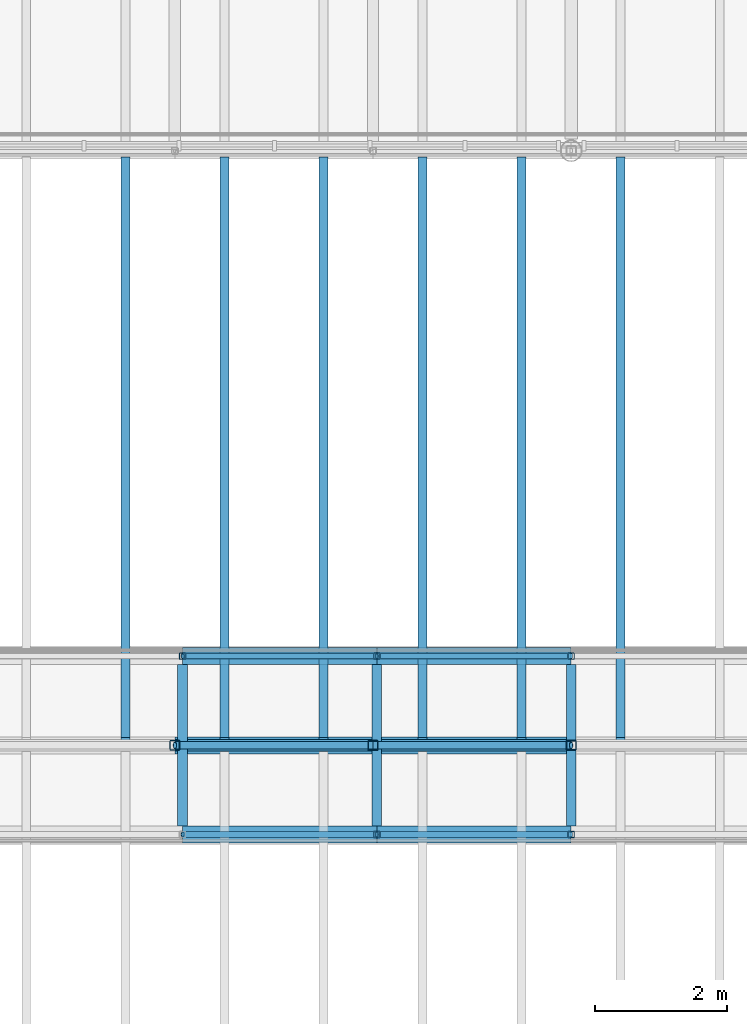
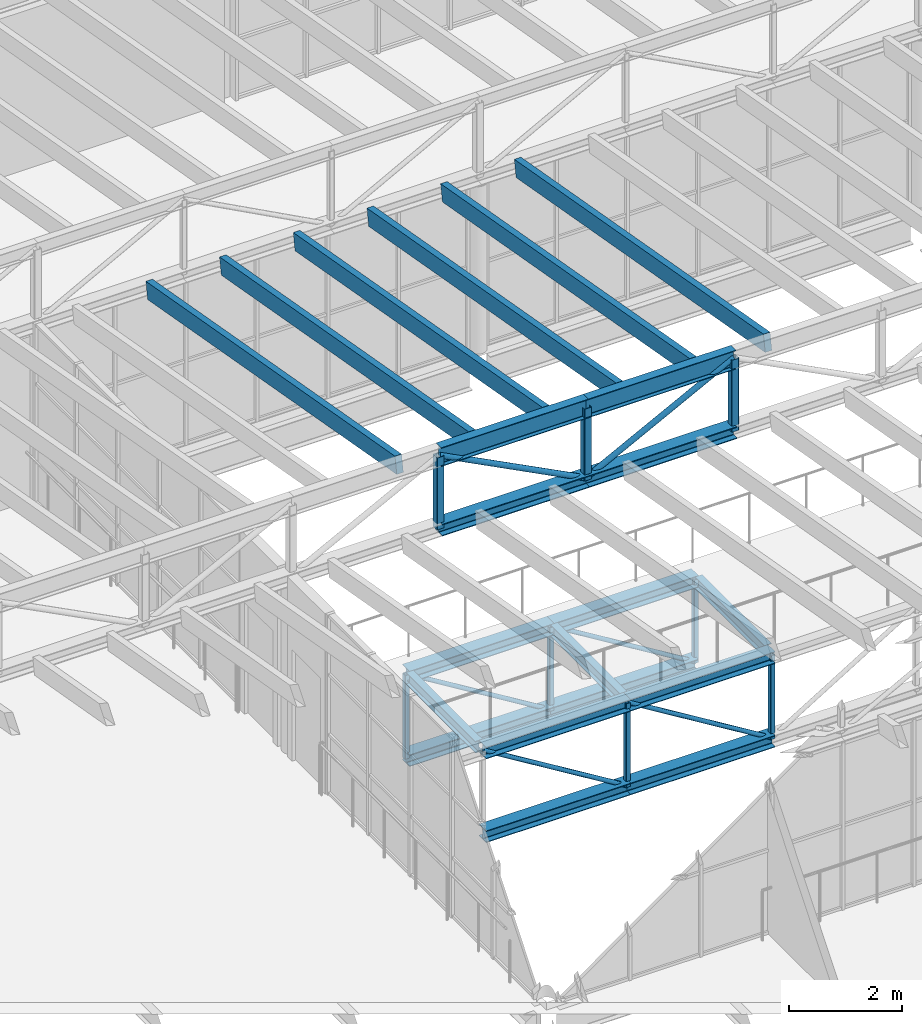
# One storey, part 13 of 44: 32 members, 3 beams.
"""IFC4 building model written with IfcOpenShell, lengths in metres."""

from ifc_helpers import new_model, si_unit, direction, frame, origin, origin_2d, place, context, subcontext, project, spatial, rectangle, hollow_rectangle, hollow_circle, i_section, extrude, material, material_profile, profile_set, type_object, element, save


model = new_model("IFC4")

# Units and contexts
model_context = context("Model", 3, precision=1e-05, world=origin(), true_north=direction((0.0, 1.0)))
body_context = subcontext(model_context, "Body", "Model", "MODEL_VIEW")
ifc_project = project(units=[si_unit("LENGTHUNIT", "METRE"), si_unit("AREAUNIT", "SQUARE_METRE"), si_unit("VOLUMEUNIT", "CUBIC_METRE"), si_unit("PLANEANGLEUNIT", "RADIAN"), si_unit("MASSUNIT", "GRAM", prefix="KILO")], contexts=[model_context])

# Site, building, storey
site_placement = place(None, origin())
site = spatial("IfcSite", under=ifc_project, at=site_placement, CompositionType="ELEMENT")
building_placement = place(site_placement, origin())
building = spatial("IfcBuilding", under=site, at=building_placement, Name="Halyard Row Museum", CompositionType="ELEMENT")
storey_placement = place(building_placement, frame((0.0, 0.0, 21.199951171875)))
storey = spatial("IfcBuildingStorey", under=building, at=storey_placement, Name="L04", CompositionType="ELEMENT", Elevation=21.199951171875)

# Beams
ifc_material_1 = material(Name="Steel Grade 300", Category="steel")
ifc_material_profile_1 = material_profile(ifc_material_1, i_section(OverallWidth=0.14599609375, OverallDepth=0.256103515625, WebThickness=0.00634765625, FlangeThickness=0.010986328125, FilletRadius=0.0087890625, at=origin_2d()), Name="250UB37.3")
ifc_profile_set_1 = profile_set([ifc_material_profile_1], Name="Steel Grade 300")
beam_type = type_object("IfcBeamType", Name="Frame beam 250UB37.3", PredefinedType="BEAM", material=ifc_profile_set_1)
for number, where, z_axis, x_axis, name in (
    (1, (84.11669921875, 16.777099609375, -0.29296875), (0.0, 1.0, 0.0), (-1.0, 0.0, 0.0), "BT2 cross beam 2"),
    (2, (87.058349609375, 16.777099609375, -0.29296875), (0.0, 1.0, 0.0), (-1.0, 0.0, 0.0), "BT2 cross beam 3"),
    (3, (90.0, 16.777099609375, -0.29296875), (0.0, 1.0, 0.0), (-1.0, 0.0, 0.0), "BT2 cross beam 4"),
):
    element("IfcBeam", number, at=place(storey_placement, frame(where, z_axis=z_axis, x_axis=x_axis)), inside=storey, type_object=beam_type, Name=name, PredefinedType="BEAM", context=body_context, shape_type="SweptSolid", body=[
        extrude(i_section(OverallWidth=0.14599609375, OverallDepth=0.256103515625, WebThickness=0.00634765625, FlangeThickness=0.010986328125, FilletRadius=0.0087890625, at=origin_2d()), origin(), (0.0, 0.0, 1.0), 2.44580078125),
    ])

# Members
ifc_material_2 = material(Name="Glulam GL12 radiata pine", Category="wood")
ifc_material_profile_2 = material_profile(ifc_material_2, rectangle(XDim=0.135009765625, YDim=0.360107421875, at=origin_2d()), Name="GL12 135x360")
ifc_profile_set_2 = profile_set([ifc_material_profile_2], Name="Glulam GL12 radiata pine")
member_type_1 = type_object("IfcMemberType", Name="Rafter GL12 135x360", PredefinedType="RAFTER", material=ifc_profile_set_2)
for number, where, z_axis, x_axis, name in (
    (4, (83.25, 18.089111328125, 5.281494140625), (0.0, 0.98455904933, -0.175052787419), (-1.0, 0.0, 0.0), "Rafter V2-T3b.2"),
    (5, (84.75, 18.089111328125, 5.281494140625), (0.0, 0.98455904933, -0.175052787419), (-1.0, 0.0, 0.0), "Rafter V2-T3b.3"),
    (6, (86.25, 18.089111328125, 5.281494140625), (0.0, 0.98455904933, -0.175052787419), (-1.0, 0.0, 0.0), "Rafter V2-T3b.4"),
    (7, (87.75, 18.089111328125, 5.281494140625), (0.0, 0.98455904933, -0.175052787419), (-1.0, 0.0, 0.0), "Rafter V2-T3b.5"),
    (8, (89.25, 18.089111328125, 5.281494140625), (0.0, 0.98455904933, -0.175052787419), (-1.0, 0.0, 0.0), "Rafter V2-T3b.6"),
    (9, (90.75, 18.089111328125, 5.281494140625), (0.0, 0.98455904933, -0.175052787419), (-1.0, 0.0, 0.0), "Rafter V2-T3b.7"),
):
    element("IfcMember", number, at=place(storey_placement, frame(where, z_axis=z_axis, x_axis=x_axis)), inside=storey, type_object=member_type_1, Name=name, PredefinedType="RAFTER", context=body_context, shape_type="SweptSolid", body=[
        extrude(rectangle(XDim=0.135009765625, YDim=0.360107421875, at=origin_2d()), origin(), (0.0, 0.0, 1.0), 8.921630859375),
    ])
ifc_material_3 = material(Name="Steel Grade 300", Category="steel")
ifc_material_profile_3 = material_profile(ifc_material_3, i_section(OverallWidth=0.25390625, OverallDepth=0.25390625, WebThickness=0.008544921875, FlangeThickness=0.01416015625, FilletRadius=0.013916015625, at=origin_2d()), Name="250UC72.9")
ifc_profile_set_3 = profile_set([ifc_material_profile_3], Name="Steel Grade 300")
member_type_2 = type_object("IfcMemberType", Name="Truss chord 250UC72.9 bottom", PredefinedType="CHORD", material=ifc_profile_set_3)
for number, where, z_axis, x_axis, name in (
    (10, (84.11669921875, 16.64990234375, -2.091796875), (1.0, 0.0, 0.0), (0.0, 1.0, 0.0), "BT2S bottom chord 2"),
    (11, (87.058349609375, 16.64990234375, -2.091796875), (1.0, 0.0, 0.0), (0.0, 1.0, 0.0), "BT2S bottom chord 3"),
    (12, (84.11669921875, 19.35009765625, -2.091796875), (1.0, 0.0, 0.0), (0.0, 1.0, 0.0), "BT2N bottom chord 2"),
    (13, (87.058349609375, 19.35009765625, -2.091796875), (1.0, 0.0, 0.0), (0.0, 1.0, 0.0), "BT2N bottom chord 3"),
):
    element("IfcMember", number, at=place(storey_placement, frame(where, z_axis=z_axis, x_axis=x_axis)), inside=storey, type_object=member_type_2, Name=name, PredefinedType="CHORD", context=body_context, shape_type="SweptSolid", body=[
        extrude(i_section(OverallWidth=0.25390625, OverallDepth=0.25390625, WebThickness=0.008544921875, FlangeThickness=0.01416015625, FilletRadius=0.013916015625, at=origin_2d()), origin(), (0.0, 0.0, 1.0), 2.941650390625),
    ])
ifc_material_4 = material(Name="Steel Grade 300", Category="steel")
ifc_material_profile_4 = material_profile(ifc_material_4, i_section(OverallWidth=0.25390625, OverallDepth=0.25390625, WebThickness=0.008544921875, FlangeThickness=0.01416015625, FilletRadius=0.013916015625, at=origin_2d()), Name="250UC72.9")
ifc_profile_set_4 = profile_set([ifc_material_profile_4], Name="Steel Grade 300")
member_type_3 = type_object("IfcMemberType", Name="Truss chord 250UC72.9 top", PredefinedType="CHORD", material=ifc_profile_set_4)
for number, where, z_axis, x_axis, name in (
    (14, (84.11669921875, 16.64990234375, -0.291748046875), (1.0, 0.0, 0.0), (0.0, 1.0, 0.0), "BT2S top chord 2"),
    (15, (87.058349609375, 16.64990234375, -0.291748046875), (1.0, 0.0, 0.0), (0.0, 1.0, 0.0), "BT2S top chord 3"),
    (16, (84.11669921875, 19.35009765625, -0.291748046875), (1.0, 0.0, 0.0), (0.0, 1.0, 0.0), "BT2N top chord 2"),
    (17, (87.058349609375, 19.35009765625, -0.291748046875), (1.0, 0.0, 0.0), (0.0, 1.0, 0.0), "BT2N top chord 3"),
):
    element("IfcMember", number, at=place(storey_placement, frame(where, z_axis=z_axis, x_axis=x_axis)), inside=storey, type_object=member_type_3, Name=name, PredefinedType="CHORD", context=body_context, shape_type="SweptSolid", body=[
        extrude(i_section(OverallWidth=0.25390625, OverallDepth=0.25390625, WebThickness=0.008544921875, FlangeThickness=0.01416015625, FilletRadius=0.013916015625, at=origin_2d()), origin(), (0.0, 0.0, 1.0), 2.941650390625),
    ])
ifc_material_5 = material(Name="Steel Grade C250L0", Category="steel")
ifc_material_profile_5 = material_profile(ifc_material_5, hollow_circle(Radius=0.04443359375, WallThickness=0.0048828125, at=origin_2d()), Name="88.9x5.0CHS")
ifc_profile_set_5 = profile_set([ifc_material_profile_5], Name="Steel Grade C250L0")
member_type_4 = type_object("IfcMemberType", Name="Truss diagonal 88.9x5.0CHS", PredefinedType="BRACE", material=ifc_profile_set_5)
for number, where, z_axis, x_axis, name in (
    (18, (84.11669921875, 16.64990234375, -0.291748046875), (0.852975450501, 0.0, -0.521951032994), (0.0, 1.0, 0.0), "BT2S diagonal 2"),
    (19, (87.058349609375, 16.64990234375, -0.291748046875), (0.852975450501, 0.0, -0.521951032994), (0.0, 1.0, 0.0), "BT2S diagonal 3"),
    (20, (84.11669921875, 19.35009765625, -0.291748046875), (0.852975450501, 0.0, -0.521951032994), (0.0, 1.0, 0.0), "BT2N diagonal 2"),
    (21, (87.058349609375, 19.35009765625, -0.291748046875), (0.852975450501, 0.0, -0.521951032994), (0.0, 1.0, 0.0), "BT2N diagonal 3"),
):
    element("IfcMember", number, at=place(storey_placement, frame(where, z_axis=z_axis, x_axis=x_axis)), inside=storey, type_object=member_type_4, Name=name, PredefinedType="BRACE", context=body_context, shape_type="SweptSolid", body=[
        extrude(hollow_circle(Radius=0.04443359375, WallThickness=0.0048828125, at=origin_2d()), origin(), (0.0, 0.0, 1.0), 3.44873046875),
    ])
ifc_material_6 = material(Name="Steel Grade C350L0", Category="steel")
ifc_material_profile_6 = material_profile(ifc_material_6, hollow_rectangle(XDim=0.10009765625, YDim=0.10009765625, WallThickness=0.006103515625, InnerFilletRadius=0.009033203125, OuterFilletRadius=0.014892578125, at=origin_2d()), Name="100x100x6.0SHS")
ifc_profile_set_6 = profile_set([ifc_material_profile_6], Name="Steel Grade C350L0")
member_type_5 = type_object("IfcMemberType", Name="Truss post 100x100x6.0SHS", PredefinedType="POST", material=ifc_profile_set_6)
for number, where, z_axis, x_axis, name in (
    (22, (87.058349609375, 16.64990234375, -2.091796875), (0.0, 0.0, 1.0), (1.0, 0.0, 0.0), "BT2S post 3"),
    (23, (90.0, 16.64990234375, -2.091796875), (0.0, 0.0, 1.0), (1.0, 0.0, 0.0), "BT2S post 4"),
    (24, (84.11669921875, 19.35009765625, -2.091796875), (0.0, 0.0, 1.0), (1.0, 0.0, 0.0), "BT2N post 2"),
    (25, (87.058349609375, 19.35009765625, -2.091796875), (0.0, 0.0, 1.0), (1.0, 0.0, 0.0), "BT2N post 3"),
    (26, (90.0, 19.35009765625, -2.091796875), (0.0, 0.0, 1.0), (1.0, 0.0, 0.0), "BT2N post 4"),
):
    element("IfcMember", number, at=place(storey_placement, frame(where, z_axis=z_axis, x_axis=x_axis)), inside=storey, type_object=member_type_5, Name=name, PredefinedType="POST", context=body_context, shape_type="SweptSolid", body=[
        extrude(hollow_rectangle(XDim=0.10009765625, YDim=0.10009765625, WallThickness=0.006103515625, InnerFilletRadius=0.009033203125, OuterFilletRadius=0.014892578125, at=origin_2d()), origin(), (0.0, 0.0, 1.0), 1.800048828125),
    ])
ifc_material_7 = material(Name="Steel Grade 300", Category="steel")
ifc_material_profile_7 = material_profile(ifc_material_7, i_section(OverallWidth=0.256103515625, OverallDepth=0.260009765625, WebThickness=0.010498046875, FlangeThickness=0.017333984375, FilletRadius=0.013916015625, at=origin_2d()), Name="250UC89.5")
ifc_profile_set_7 = profile_set([ifc_material_profile_7], Name="Steel Grade 300")
member_type_6 = type_object("IfcMemberType", Name="Valley truss bottom chord 250UC89.5", PredefinedType="CHORD", material=ifc_profile_set_7)
for number, where, z_axis, x_axis, name in (
    (27, (84.0, 18.0, 3.72998046875), (1.0, 0.0, 0.0), (0.0, 1.0, 0.0), "V2-VT3 bottom chord 2.2"),
    (28, (87.0, 18.0, 3.72998046875), (1.0, 0.0, 0.0), (0.0, 1.0, 0.0), "V2-VT3 bottom chord 2.3"),
):
    element("IfcMember", number, at=place(storey_placement, frame(where, z_axis=z_axis, x_axis=x_axis)), inside=storey, type_object=member_type_6, Name=name, PredefinedType="CHORD", context=body_context, shape_type="SweptSolid", body=[
        extrude(i_section(OverallWidth=0.256103515625, OverallDepth=0.260009765625, WebThickness=0.010498046875, FlangeThickness=0.017333984375, FilletRadius=0.013916015625, at=origin_2d()), origin(), (0.0, 0.0, 1.0), 3.0),
    ])
ifc_material_8 = material(Name="Steel Grade C250L0", Category="steel")
ifc_material_profile_8 = material_profile(ifc_material_8, hollow_circle(Radius=0.05712890625, WallThickness=0.00537109375, at=origin_2d()), Name="114.3x5.4CHS")
ifc_profile_set_8 = profile_set([ifc_material_profile_8], Name="Steel Grade C250L0")
member_type_7 = type_object("IfcMemberType", Name="Valley truss diagonal 114.3x5.4CHS", PredefinedType="BRACE", material=ifc_profile_set_8)
for number, where, z_axis, x_axis, name in (
    (29, (84.0, 18.0, 5.27685546875), (0.888803167408, 0.0, -0.458289133195), (0.0, 1.0, 0.0), "V2-VT3 diagonal 2.2"),
    (30, (87.0, 18.0, 3.72998046875), (0.888803167408, 0.0, 0.458289133195), (0.0, 1.0, 0.0), "V2-VT3 diagonal 2.3"),
):
    element("IfcMember", number, at=place(storey_placement, frame(where, z_axis=z_axis, x_axis=x_axis)), inside=storey, type_object=member_type_7, Name=name, PredefinedType="BRACE", context=body_context, shape_type="SweptSolid", body=[
        extrude(hollow_circle(Radius=0.05712890625, WallThickness=0.00537109375, at=origin_2d()), origin(), (0.0, 0.0, 1.0), 3.375244140625),
    ])
ifc_material_9 = material(Name="Steel Grade C350L0", Category="steel")
ifc_material_profile_9 = material_profile(ifc_material_9, hollow_rectangle(XDim=0.14990234375, YDim=0.14990234375, WallThickness=0.006103515625, InnerFilletRadius=0.009033203125, OuterFilletRadius=0.014892578125, at=origin_2d()), Name="150x150x6.0SHS")
ifc_profile_set_9 = profile_set([ifc_material_profile_9], Name="Steel Grade C350L0")
member_type_8 = type_object("IfcMemberType", Name="Valley truss post 150x150x6.0SHS", PredefinedType="POST", material=ifc_profile_set_9)
for number, where, z_axis, x_axis, name in (
    (31, (84.0, 18.0, 3.72998046875), (0.0, 0.0, 1.0), (1.0, 0.0, 0.0), "V2-VT3 post 2.1"),
    (32, (87.0, 18.0, 3.72998046875), (0.0, 0.0, 1.0), (1.0, 0.0, 0.0), "V2-VT3 post 2.2"),
    (33, (90.0, 18.0, 3.72998046875), (0.0, 0.0, 1.0), (1.0, 0.0, 0.0), "V2-VT3 post 2.3"),
):
    element("IfcMember", number, at=place(storey_placement, frame(where, z_axis=z_axis, x_axis=x_axis)), inside=storey, type_object=member_type_8, Name=name, PredefinedType="POST", context=body_context, shape_type="SweptSolid", body=[
        extrude(hollow_rectangle(XDim=0.14990234375, YDim=0.14990234375, WallThickness=0.006103515625, InnerFilletRadius=0.009033203125, OuterFilletRadius=0.014892578125, at=origin_2d()), origin(), (0.0, 0.0, 1.0), 1.546875),
    ])
ifc_material_10 = material(Name="Steel Grade 300", Category="steel")
ifc_material_profile_10 = material_profile(ifc_material_10, i_section(OverallWidth=0.177978515625, OverallDepth=0.406494140625, WebThickness=0.0078125, FlangeThickness=0.0126953125, FilletRadius=0.011474609375, at=origin_2d()), Name="410UB59.7")
ifc_profile_set_10 = profile_set([ifc_material_profile_10], Name="Steel Grade 300")
member_type_9 = type_object("IfcMemberType", Name="Valley truss top chord 410UB59.7", PredefinedType="CHORD", material=ifc_profile_set_10)
for number, where, z_axis, x_axis, name in (
    (34, (84.0, 18.0, 5.27685546875), (1.0, 0.0, 0.0), (0.0, 1.0, 0.0), "V2-VT3 top chord 2.2"),
    (35, (87.0, 18.0, 5.27685546875), (1.0, 0.0, 0.0), (0.0, 1.0, 0.0), "V2-VT3 top chord 2.3"),
):
    element("IfcMember", number, at=place(storey_placement, frame(where, z_axis=z_axis, x_axis=x_axis)), inside=storey, type_object=member_type_9, Name=name, PredefinedType="CHORD", context=body_context, shape_type="SweptSolid", body=[
        extrude(i_section(OverallWidth=0.177978515625, OverallDepth=0.406494140625, WebThickness=0.0078125, FlangeThickness=0.0126953125, FilletRadius=0.011474609375, at=origin_2d()), origin(), (0.0, 0.0, 1.0), 3.0),
    ])

save(model, "model.ifc")
